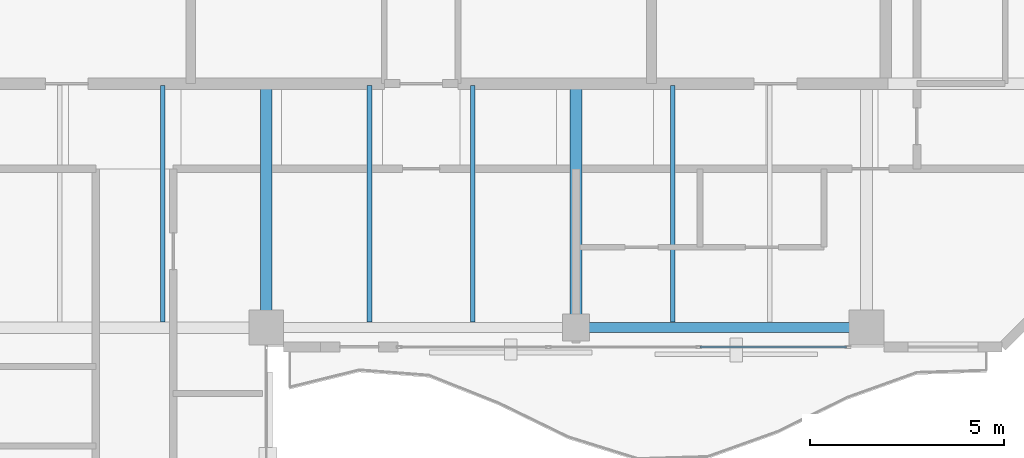
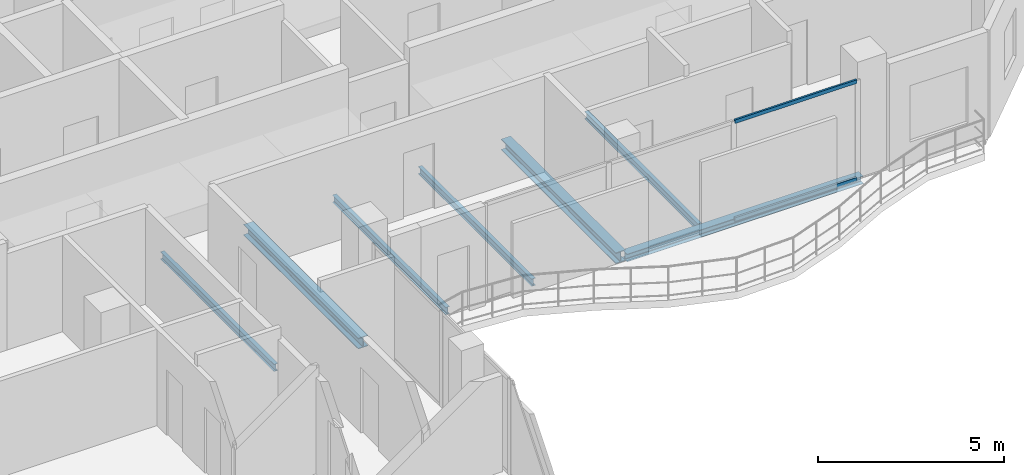
# One storey, part 13 of 22: 7 beams, 2 members, 1 element without a shape of its own.
"""IFC4 building model written with IfcOpenShell, lengths in metres."""

from ifc_helpers import new_model, si_unit, direction, frame, origin, origin_2d, place, context, subcontext, project, spatial, hollow_rectangle, i_section, extrude, material, layer, layer_set, material_profile, profile_set, type_object, element, aggregate, save


model = new_model("IFC4")

# Units and contexts
model_context = context("Model", 3, precision=1e-05, world=origin(), true_north=direction((0.0, 1.0)))
body_context = subcontext(model_context, "Body", "Model", "MODEL_VIEW")
ifc_project = project(units=[si_unit("LENGTHUNIT", "METRE"), si_unit("AREAUNIT", "SQUARE_METRE"), si_unit("VOLUMEUNIT", "CUBIC_METRE"), si_unit("PLANEANGLEUNIT", "RADIAN"), si_unit("MASSUNIT", "GRAM", prefix="KILO")], contexts=[model_context])

# Site, building, storey
site_placement = place(None, origin())
site = spatial("IfcSite", under=ifc_project, at=site_placement, CompositionType="ELEMENT")
building_placement = place(site_placement, origin())
building = spatial("IfcBuilding", under=site, at=building_placement, Name="Catumbela Crestline Tower", CompositionType="ELEMENT")
storey_placement = place(building_placement, frame((0.0, 0.0, 260.2)))
storey = spatial("IfcBuildingStorey", under=building, at=storey_placement, Name="L67", CompositionType="ELEMENT", Elevation=260.2)

# Beams
ifc_material_1 = material(Name="Structural steel S355J2", Category="steel")
ifc_material_profile_1 = material_profile(ifc_material_1, i_section(OverallWidth=0.3, OverallDepth=0.36, WebThickness=0.0125, FlangeThickness=0.0225, FilletRadius=0.027, at=origin_2d()), Name="HEB 360")
ifc_profile_set_1 = profile_set([ifc_material_profile_1], Name="Structural steel S355J2")
beam_type_1 = type_object("IfcBeamType", Name="BG-HEB360", PredefinedType="BEAM", material=ifc_profile_set_1)
for number, where, z_axis, x_axis, name in (
    (1, (24.0, 24.58, -0.44), (0.0, 1.0, 0.0), (-1.0, 0.0, 0.0), "L67 Beam BM-L67-SNS16"),
    (2, (32.0, 24.58, -0.44), (0.0, 1.0, 0.0), (-1.0, 0.0, 0.0), "L67 Beam BM-L67-SNS17"),
):
    element("IfcBeam", number, at=place(storey_placement, frame(where, z_axis=z_axis, x_axis=x_axis)), inside=storey, type_object=beam_type_1, Name=name, PredefinedType="BEAM", context=body_context, shape_type="SweptSolid", body=[
        extrude(i_section(OverallWidth=0.3, OverallDepth=0.36, WebThickness=0.0125, FlangeThickness=0.0225, FilletRadius=0.027, at=origin_2d()), origin(), (0.0, 0.0, 1.0), 6.17),
    ])
ifc_material_profile_2 = material_profile(ifc_material_1, i_section(OverallWidth=0.12, OverallDepth=0.24, WebThickness=0.0062, FlangeThickness=0.0098, FilletRadius=0.015, at=origin_2d()), Name="IPE 240")
ifc_profile_set_2 = profile_set([ifc_material_profile_2], Name="Structural steel S355J2")
beam_type_2 = type_object("IfcBeamType", Name="BJ-IPE240", PredefinedType="JOIST", material=ifc_profile_set_2)
for number, where, z_axis, x_axis, name in (
    (3, (21.333, 24.647, -0.38), (0.0, 1.0, 0.0), (-1.0, 0.0, 0.0), "L67 Joist JS-L67-SP22"),
    (4, (26.667, 24.647, -0.38), (0.0, 1.0, 0.0), (-1.0, 0.0, 0.0), "L67 Joist JS-L67-SP23"),
    (5, (29.333, 24.647, -0.38), (0.0, 1.0, 0.0), (-1.0, 0.0, 0.0), "L67 Joist JS-L67-SP24"),
    (6, (34.5, 24.647, -0.38), (0.0, 1.0, 0.0), (-1.0, 0.0, 0.0), "L67 Joist JS-L67-SP25"),
):
    element("IfcBeam", number, at=place(storey_placement, frame(where, z_axis=z_axis, x_axis=x_axis)), inside=storey, type_object=beam_type_2, Name=name, PredefinedType="JOIST", context=body_context, shape_type="SweptSolid", body=[
        extrude(i_section(OverallWidth=0.12, OverallDepth=0.24, WebThickness=0.0062, FlangeThickness=0.0098, FilletRadius=0.015, at=origin_2d()), origin(), (0.0, 0.0, 1.0), 6.103),
    ])
ifc_material_profile_3 = material_profile(ifc_material_1, i_section(OverallWidth=0.26, OverallDepth=0.25, WebThickness=0.0075, FlangeThickness=0.0125, FilletRadius=0.024, at=origin_2d()), Name="HEA 260")
ifc_profile_set_3 = profile_set([ifc_material_profile_3], Name="Structural steel S355J2")
beam_type_3 = type_object("IfcBeamType", Name="BS-HEA260", PredefinedType="SPANDREL", material=ifc_profile_set_3)
beam_placement = place(storey_placement, frame((32.08, 24.5, -0.385), z_axis=(1.0, 0.0, 0.0), x_axis=(0.0, 1.0, 0.0)))
element("IfcBeam", 7, at=beam_placement, inside=storey, type_object=beam_type_3, Name="L67 Spandrel SP-L67-S05", PredefinedType="SPANDREL", context=body_context, shape_type="SweptSolid", body=[
    extrude(i_section(OverallWidth=0.26, OverallDepth=0.25, WebThickness=0.0075, FlangeThickness=0.0125, FilletRadius=0.024, at=origin_2d()), origin(), (0.0, 0.0, 1.0), 7.34),
])

# Curtain wall, members
ifc_material_2 = material(Name="Aluminium alloy AW-6060-T66", Category="aluminium")
ifc_layer = layer(ifc_material_2, 0.18, Name="Aluminium alloy AW-6060-T66")
ifc_layer_set = layer_set([ifc_layer], Name="Aluminium alloy AW-6060-T66")
curtain_wall_type = type_object("IfcCurtainWallType", Name="CWU-Z4", PredefinedType="USERDEFINED", material=ifc_layer_set)
curtain_wall_placement = place(storey_placement, origin())
curtain_wall = element("IfcCurtainWall", 8, at=curtain_wall_placement, inside=storey, type_object=curtain_wall_type, Name="L67 Unitised Curtain Wall CW-L67-E3S2", ObjectType="UNITISED", PredefinedType="USERDEFINED")
ifc_material_profile_4 = material_profile(ifc_material_2, hollow_rectangle(XDim=0.06, YDim=0.12, WallThickness=0.0035, at=origin_2d()), Name="ALU 120x60x3.5")
ifc_profile_set_4 = profile_set([ifc_material_profile_4], Name="Aluminium alloy AW-6060-T66")
member_type = type_object("IfcMemberType", Name="TRN-120X60", PredefinedType="USERDEFINED", material=ifc_profile_set_4)
member_1_placement = place(storey_placement, frame((35.1992, 24.0, 0.03), z_axis=(1.0, 0.0, 0.0), x_axis=(0.0, 1.0, 0.0)))
member_1 = element("IfcMember", 9, at=member_1_placement, type_object=member_type, Name="CWU-Z4 transom 3.1", ObjectType="TRANSOM", PredefinedType="USERDEFINED", context=body_context, shape_type="SweptSolid", body=[
    extrude(hollow_rectangle(XDim=0.06, YDim=0.12, WallThickness=0.0035, at=origin_2d()), origin(), (0.0, 0.0, 1.0), 3.7858),
])
member_2_placement = place(storey_placement, frame((35.1992, 24.0, 3.24), z_axis=(1.0, 0.0, 0.0), x_axis=(0.0, 1.0, 0.0)))
member_2 = element("IfcMember", 10, at=member_2_placement, type_object=member_type, Name="CWU-Z4 transom 3.2", ObjectType="TRANSOM", PredefinedType="USERDEFINED", context=body_context, shape_type="SweptSolid", body=[
    extrude(hollow_rectangle(XDim=0.06, YDim=0.12, WallThickness=0.0035, at=origin_2d()), origin(), (0.0, 0.0, 1.0), 3.7858),
])
aggregate(curtain_wall, [member_1, member_2])

save(model, "model.ifc")
